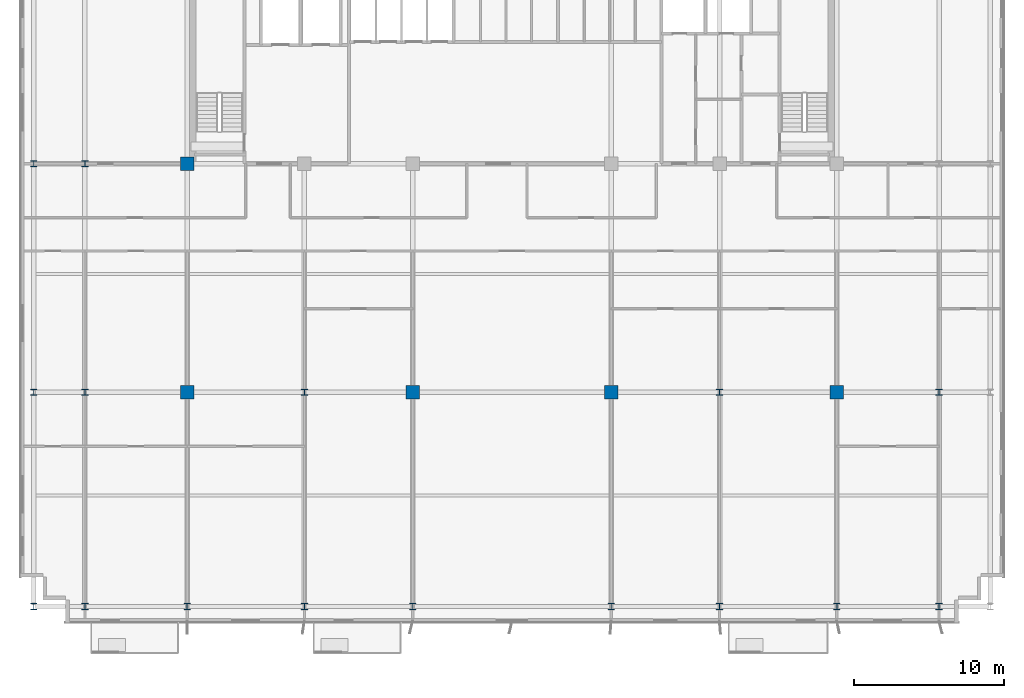
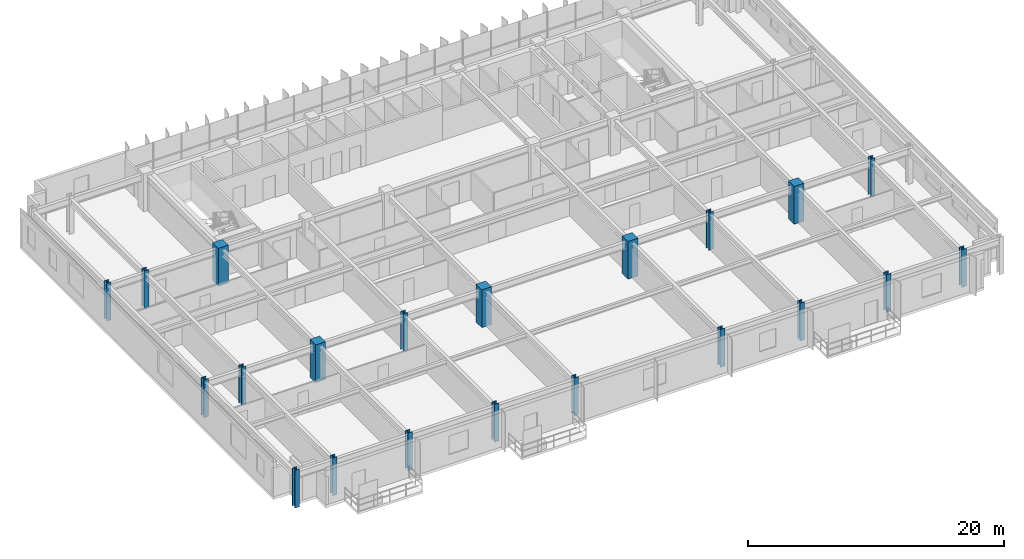
# One storey, part 1 of 21: 21 columns.
"""IFC4 building model written with IfcOpenShell, lengths in metres."""

from ifc_helpers import new_model, si_unit, direction, frame, origin, origin_2d, place, context, subcontext, project, spatial, rectangle, i_section, extrude, source, transform, mapped, material, material_profile, profile_set, type_object, element, save


model = new_model("IFC4")

# Units and contexts
model_context = context("Model", 3, precision=1e-05, world=origin(), true_north=direction((0.0, 1.0)))
body_context = subcontext(model_context, "Body", "Model", "MODEL_VIEW")
ifc_project = project(units=[si_unit("LENGTHUNIT", "METRE"), si_unit("AREAUNIT", "SQUARE_METRE"), si_unit("VOLUMEUNIT", "CUBIC_METRE"), si_unit("PLANEANGLEUNIT", "RADIAN"), si_unit("MASSUNIT", "GRAM", prefix="KILO")], contexts=[model_context])

# Site, building, storey
site_placement = place(None, origin())
site = spatial("IfcSite", under=ifc_project, at=site_placement, CompositionType="ELEMENT")
building_placement = place(site_placement, origin())
building = spatial("IfcBuilding", under=site, at=building_placement, Name="Trelvane Seafront Commons", CompositionType="ELEMENT")
storey_placement = place(building_placement, frame((0.0, 0.0, 37.89990234375)))
storey = spatial("IfcBuildingStorey", under=building, at=storey_placement, Name="L09", CompositionType="ELEMENT", Elevation=37.89990234375)

# Columns
ifc_material_1 = material(Name="Steel SM355 (S355)", Category="steel")
ifc_material_profile_1 = material_profile(ifc_material_1, i_section(OverallWidth=0.419921875, OverallDepth=0.419921875, WebThickness=0.02587890625, FlangeThickness=0.0400390625, at=origin_2d()), Name="HD-420x420x26x40")
ifc_profile_set_1 = profile_set([ifc_material_profile_1], Name="Steel SM355 (S355)")
column_type_1 = type_object("IfcColumnType", Name="STR-COL-HD420", PredefinedType="COLUMN", material=ifc_profile_set_1)
shared_shape_1 = source(origin(), body_context, "Body", "SweptSolid", [
    extrude(i_section(OverallWidth=0.419921875, OverallDepth=0.419921875, WebThickness=0.02587890625, FlangeThickness=0.0400390625, at=origin_2d()), origin(), (0.0, 0.0, 1.0), 3.60009765625),
])
for number, where, z_axis, x_axis, name in (
    (1, (5.39990234375, 3.949951171875, 0.0), (0.0, 0.0, 1.0), (1.0, 0.0, 0.0), "L09 Column TC-S5.4"),
    (2, (5.39990234375, 18.199951171875, 0.0), (0.0, 0.0, 1.0), (1.0, 0.0, 0.0), "L09 Column TC-M5.4"),
    (3, (5.39990234375, 33.39990234375, 0.0), (0.0, 0.0, 1.0), (1.0, 0.0, 0.0), "L09 Column TC-CS5.4"),
    (4, (8.800048828125, 3.949951171875, 0.0), (0.0, 0.0, 1.0), (1.0, 0.0, 0.0), "L09 Column TC-S8.8"),
    (5, (8.800048828125, 18.199951171875, 0.0), (0.0, 0.0, 1.0), (1.0, 0.0, 0.0), "L09 Column TC-M8.8"),
    (6, (8.800048828125, 33.39990234375, 0.0), (0.0, 0.0, 1.0), (1.0, 0.0, 0.0), "L09 Column TC-CS8.8"),
    (7, (15.60009765625, 3.949951171875, 0.0), (0.0, 0.0, 1.0), (1.0, 0.0, 0.0), "L09 Column TC-S15.6"),
    (8, (23.39990234375, 3.949951171875, 0.0), (0.0, 0.0, 1.0), (1.0, 0.0, 0.0), "L09 Column TC-S23.4"),
    (9, (23.39990234375, 18.199951171875, 0.0), (0.0, 0.0, 1.0), (1.0, 0.0, 0.0), "L09 Column TC-M23.4"),
    (10, (30.60009765625, 3.949951171875, 0.0), (0.0, 0.0, 1.0), (1.0, 0.0, 0.0), "L09 Column TC-S30.6"),
    (11, (43.800048828125, 3.949951171875, 0.0), (0.0, 0.0, 1.0), (1.0, 0.0, 0.0), "L09 Column TC-S43.8"),
    (12, (51.0, 3.949951171875, 0.0), (0.0, 0.0, 1.0), (1.0, 0.0, 0.0), "L09 Column TC-S51.0"),
    (13, (51.0, 18.199951171875, 0.0), (0.0, 0.0, 1.0), (1.0, 0.0, 0.0), "L09 Column TC-M51.0"),
    (14, (58.800048828125, 3.949951171875, 0.0), (0.0, 0.0, 1.0), (1.0, 0.0, 0.0), "L09 Column TC-S58.8"),
    (15, (65.60009765625, 3.949951171875, 0.0), (0.0, 0.0, 1.0), (1.0, 0.0, 0.0), "L09 Column TC-S65.6"),
    (16, (65.60009765625, 18.199951171875, 0.0), (0.0, 0.0, 1.0), (1.0, 0.0, 0.0), "L09 Column TC-M65.6"),
):
    element("IfcColumn", number, at=place(storey_placement, frame(where, z_axis=z_axis, x_axis=x_axis)), inside=storey, type_object=column_type_1, Name=name, PredefinedType="COLUMN", context=body_context, shape_type="MappedRepresentation", body=[
        mapped(shared_shape_1, transform((0.0, 0.0, 0.0), x_axis=(1.0, 0.0, 0.0), y_axis=(0.0, 1.0, 0.0), z_axis=(0.0, 0.0, 1.0), scale=1.0)),
    ])
ifc_material_2 = material(Name="Concrete C60/75", Category="concrete")
ifc_material_profile_2 = material_profile(ifc_material_2, rectangle(XDim=0.89990234375, YDim=0.89990234375, at=origin_2d()), Name="RC-900x900")
ifc_profile_set_2 = profile_set([ifc_material_profile_2], Name="Concrete C60/75")
column_type_2 = type_object("IfcColumnType", Name="STR-COL-RC900", PredefinedType="COLUMN", material=ifc_profile_set_2)
shared_shape_2 = source(origin(), body_context, "Body", "SweptSolid", [
    extrude(rectangle(XDim=0.89990234375, YDim=0.89990234375, at=origin_2d()), origin(), (0.0, 0.0, 1.0), 3.60009765625),
])
for number, where, z_axis, x_axis, name in (
    (17, (15.60009765625, 18.199951171875, 0.0), (0.0, 0.0, 1.0), (1.0, 0.0, 0.0), "L09 Column TC-M15.6"),
    (18, (15.60009765625, 33.39990234375, 0.0), (0.0, 0.0, 1.0), (1.0, 0.0, 0.0), "L09 Column TC-CS15.6"),
    (19, (30.60009765625, 18.199951171875, 0.0), (0.0, 0.0, 1.0), (1.0, 0.0, 0.0), "L09 Column TC-M30.6"),
    (20, (43.800048828125, 18.199951171875, 0.0), (0.0, 0.0, 1.0), (1.0, 0.0, 0.0), "L09 Column TC-M43.8"),
    (21, (58.800048828125, 18.199951171875, 0.0), (0.0, 0.0, 1.0), (1.0, 0.0, 0.0), "L09 Column TC-M58.8"),
):
    element("IfcColumn", number, at=place(storey_placement, frame(where, z_axis=z_axis, x_axis=x_axis)), inside=storey, type_object=column_type_2, Name=name, PredefinedType="COLUMN", context=body_context, shape_type="MappedRepresentation", body=[
        mapped(shared_shape_2, transform((0.0, 0.0, 0.0), x_axis=(1.0, 0.0, 0.0), y_axis=(0.0, 1.0, 0.0), z_axis=(0.0, 0.0, 1.0), scale=1.0)),
    ])

save(model, "model.ifc")
